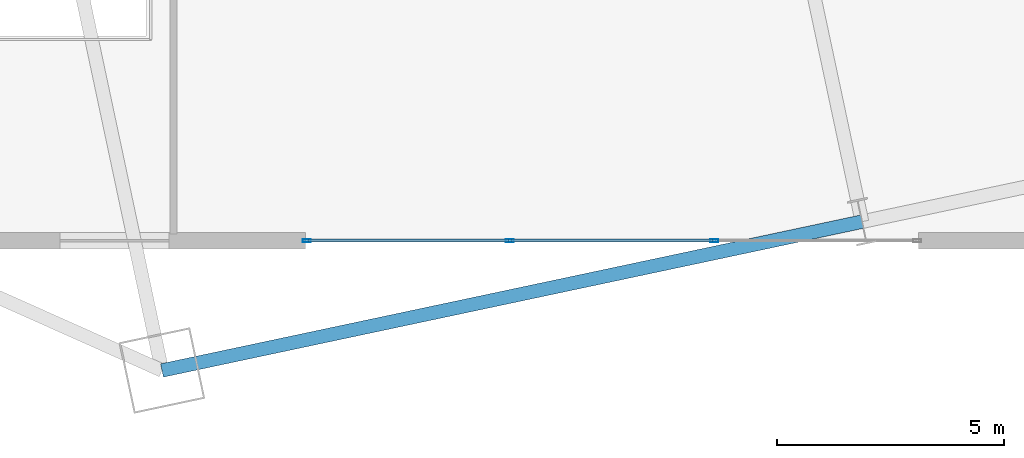
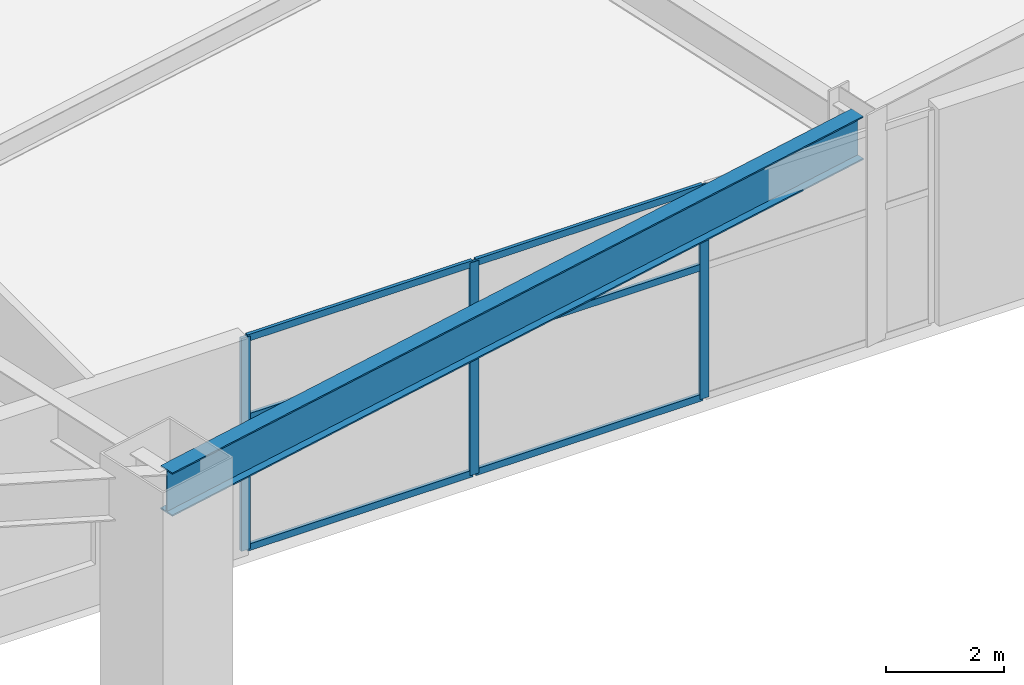
# One storey, part 8 of 25: 9 members, 1 beam, 1 element without a shape of its own.
"""IFC4 building model written with IfcOpenShell, lengths in metres."""

from ifc_helpers import new_model, si_unit, direction, frame, origin, origin_2d, place, context, subcontext, project, spatial, hollow_rectangle, i_section, extrude, material, layer, layer_set, material_profile, profile_set, type_object, element, aggregate, save


model = new_model("IFC4")

# Units and contexts
model_context = context("Model", 3, precision=1e-05, world=origin(), true_north=direction((0.0, 1.0)))
body_context = subcontext(model_context, "Body", "Model", "MODEL_VIEW")
ifc_project = project(units=[si_unit("LENGTHUNIT", "METRE"), si_unit("AREAUNIT", "SQUARE_METRE"), si_unit("VOLUMEUNIT", "CUBIC_METRE"), si_unit("PLANEANGLEUNIT", "RADIAN"), si_unit("MASSUNIT", "GRAM", prefix="KILO")], contexts=[model_context])

# Site, building, storey
site_placement = place(None, origin())
site = spatial("IfcSite", under=ifc_project, at=site_placement, CompositionType="ELEMENT")
building_placement = place(site_placement, origin())
building = spatial("IfcBuilding", under=site, at=building_placement, Name="Haevon Station Towers", CompositionType="ELEMENT")
storey_placement = place(building_placement, frame((0.0, 0.0, 6.0)))
storey = spatial("IfcBuildingStorey", under=building, at=storey_placement, Name="L01", CompositionType="ELEMENT", Elevation=6.0)

# Beam
ifc_material_1 = material(Name="Steel S355", Category="steel")
ifc_material_profile_1 = material_profile(ifc_material_1, i_section(OverallWidth=0.300048828125, OverallDepth=0.89990234375, WebThickness=0.01611328125, FlangeThickness=0.028076171875, at=origin_2d()), Name="H-900x300x16x28")
ifc_profile_set_1 = profile_set([ifc_material_profile_1], Name="Steel S355")
beam_type = type_object("IfcBeamType", Name="BM-PG900", PredefinedType="BEAM", material=ifc_profile_set_1)
beam_placement = place(storey_placement, frame((88.346923828125, 10.643310546875, 4.050048828125), z_axis=(0.978146794194, 0.207915485254, 0.0), x_axis=(-0.207915485254, 0.978146794194, 0.0)))
element("IfcBeam", 1, at=beam_placement, inside=storey, type_object=beam_type, Name="BM-T2U-L01-01-01", PredefinedType="BEAM", context=body_context, shape_type="SweptSolid", body=[
    extrude(i_section(OverallWidth=0.300048828125, OverallDepth=0.89990234375, WebThickness=0.01611328125, FlangeThickness=0.028076171875, at=origin_2d()), origin(), (0.0, 0.0, 1.0), 15.75),
])

# Curtain wall, members
ifc_material_2 = material(Name="Anodised aluminium and Low-E double glazing", Category="aluminium")
ifc_layer = layer(ifc_material_2, 0.179931640625)
ifc_layer_set = layer_set([ifc_layer], Name="Anodised aluminium and Low-E double glazing")
curtain_wall_type = type_object("IfcCurtainWallType", Name="CW-SYS1", PredefinedType="NOTDEFINED", material=ifc_layer_set)
curtain_wall_placement = place(storey_placement, origin())
curtain_wall = element("IfcCurtainWall", 2, at=curtain_wall_placement, inside=storey, type_object=curtain_wall_type, Name="L01 Curtain Wall CW-POD-L01-S1", PredefinedType="NOTDEFINED")
ifc_material_3 = material(Name="Anodised aluminium 6063-T6", Category="aluminium")
ifc_material_profile_2 = material_profile(ifc_material_3, hollow_rectangle(XDim=0.06494140625, YDim=0.179931640625, WallThickness=0.00390625, at=origin_2d()), Name="CWM-180x65x4")
ifc_profile_set_2 = profile_set([ifc_material_profile_2], Name="Anodised aluminium 6063-T6")
member_type_1 = type_object("IfcMemberType", Name="CWM-180", PredefinedType="MULLION", material=ifc_profile_set_2)
member_1_placement = place(storey_placement, frame((100.5, 13.5, 0.0), z_axis=(0.0, 0.0, 1.0), x_axis=(0.0, -1.0, 0.0)))
member_1 = element("IfcMember", 3, at=member_1_placement, type_object=member_type_1, Name="CW-SYS1 mullion 2", PredefinedType="MULLION", context=body_context, shape_type="SweptSolid", body=[
    extrude(hollow_rectangle(XDim=0.06494140625, YDim=0.179931640625, WallThickness=0.00390625, at=origin_2d()), origin(), (0.0, 0.0, 1.0), 4.39990234375),
])
member_2_placement = place(storey_placement, frame((96.0, 13.5, 0.0), z_axis=(0.0, 0.0, 1.0), x_axis=(0.0, -1.0, 0.0)))
member_2 = element("IfcMember", 4, at=member_2_placement, type_object=member_type_1, Name="CW-SYS1 mullion 3", PredefinedType="MULLION", context=body_context, shape_type="SweptSolid", body=[
    extrude(hollow_rectangle(XDim=0.06494140625, YDim=0.179931640625, WallThickness=0.00390625, at=origin_2d()), origin(), (0.0, 0.0, 1.0), 4.39990234375),
])
member_3_placement = place(storey_placement, frame((91.532470703125, 13.5, 0.0), z_axis=(0.0, 0.0, 1.0), x_axis=(0.0, -1.0, 0.0)))
member_3 = element("IfcMember", 5, at=member_3_placement, type_object=member_type_1, Name="CW-SYS1 mullion 4", PredefinedType="MULLION", context=body_context, shape_type="SweptSolid", body=[
    extrude(hollow_rectangle(XDim=0.06494140625, YDim=0.179931640625, WallThickness=0.00390625, at=origin_2d()), origin(), (0.0, 0.0, 1.0), 4.39990234375),
])
ifc_material_profile_3 = material_profile(ifc_material_3, hollow_rectangle(XDim=0.06494140625, YDim=0.139892578125, WallThickness=0.00341796875, at=origin_2d()), Name="CWT-140x65x3.5")
ifc_profile_set_3 = profile_set([ifc_material_profile_3], Name="Anodised aluminium 6063-T6")
member_type_2 = type_object("IfcMemberType", Name="CWT-140", PredefinedType="USERDEFINED", material=ifc_profile_set_3)
member_4_placement = place(storey_placement, frame((100.467529296875, 13.5, 0.032470703125), z_axis=(-1.0, 0.0, 0.0), x_axis=(0.0, -1.0, 0.0)))
member_4 = element("IfcMember", 6, at=member_4_placement, type_object=member_type_2, Name="CW-SYS1 transom 2.1", ObjectType="TRANSOM", PredefinedType="USERDEFINED", context=body_context, shape_type="SweptSolid", body=[
    extrude(hollow_rectangle(XDim=0.06494140625, YDim=0.139892578125, WallThickness=0.00341796875, at=origin_2d()), origin(), (0.0, 0.0, 1.0), 4.43505859375),
])
member_5_placement = place(storey_placement, frame((100.467529296875, 13.5, 2.72802734375), z_axis=(-1.0, 0.0, 0.0), x_axis=(0.0, -1.0, 0.0)))
member_5 = element("IfcMember", 7, at=member_5_placement, type_object=member_type_2, Name="CW-SYS1 transom 2.2", ObjectType="TRANSOM", PredefinedType="USERDEFINED", context=body_context, shape_type="SweptSolid", body=[
    extrude(hollow_rectangle(XDim=0.06494140625, YDim=0.139892578125, WallThickness=0.00341796875, at=origin_2d()), origin(), (0.0, 0.0, 1.0), 4.43505859375),
])
member_6_placement = place(storey_placement, frame((100.467529296875, 13.5, 4.367431640625), z_axis=(-1.0, 0.0, 0.0), x_axis=(0.0, -1.0, 0.0)))
member_6 = element("IfcMember", 8, at=member_6_placement, type_object=member_type_2, Name="CW-SYS1 transom 2.3", ObjectType="TRANSOM", PredefinedType="USERDEFINED", context=body_context, shape_type="SweptSolid", body=[
    extrude(hollow_rectangle(XDim=0.06494140625, YDim=0.139892578125, WallThickness=0.00341796875, at=origin_2d()), origin(), (0.0, 0.0, 1.0), 4.43505859375),
])
member_7_placement = place(storey_placement, frame((95.967529296875, 13.5, 0.032470703125), z_axis=(-1.0, 0.0, 0.0), x_axis=(0.0, -1.0, 0.0)))
member_7 = element("IfcMember", 9, at=member_7_placement, type_object=member_type_2, Name="CW-SYS1 transom 3.1", ObjectType="TRANSOM", PredefinedType="USERDEFINED", context=body_context, shape_type="SweptSolid", body=[
    extrude(hollow_rectangle(XDim=0.06494140625, YDim=0.139892578125, WallThickness=0.00341796875, at=origin_2d()), origin(), (0.0, 0.0, 1.0), 4.402587890625),
])
member_8_placement = place(storey_placement, frame((95.967529296875, 13.5, 2.72802734375), z_axis=(-1.0, 0.0, 0.0), x_axis=(0.0, -1.0, 0.0)))
member_8 = element("IfcMember", 10, at=member_8_placement, type_object=member_type_2, Name="CW-SYS1 transom 3.2", ObjectType="TRANSOM", PredefinedType="USERDEFINED", context=body_context, shape_type="SweptSolid", body=[
    extrude(hollow_rectangle(XDim=0.06494140625, YDim=0.139892578125, WallThickness=0.00341796875, at=origin_2d()), origin(), (0.0, 0.0, 1.0), 4.402587890625),
])
member_9_placement = place(storey_placement, frame((95.967529296875, 13.5, 4.367431640625), z_axis=(-1.0, 0.0, 0.0), x_axis=(0.0, -1.0, 0.0)))
member_9 = element("IfcMember", 11, at=member_9_placement, type_object=member_type_2, Name="CW-SYS1 transom 3.3", ObjectType="TRANSOM", PredefinedType="USERDEFINED", context=body_context, shape_type="SweptSolid", body=[
    extrude(hollow_rectangle(XDim=0.06494140625, YDim=0.139892578125, WallThickness=0.00341796875, at=origin_2d()), origin(), (0.0, 0.0, 1.0), 4.402587890625),
])
aggregate(curtain_wall, [member_1, member_2, member_3, member_4, member_5, member_6, member_7, member_8, member_9])

save(model, "model.ifc")
